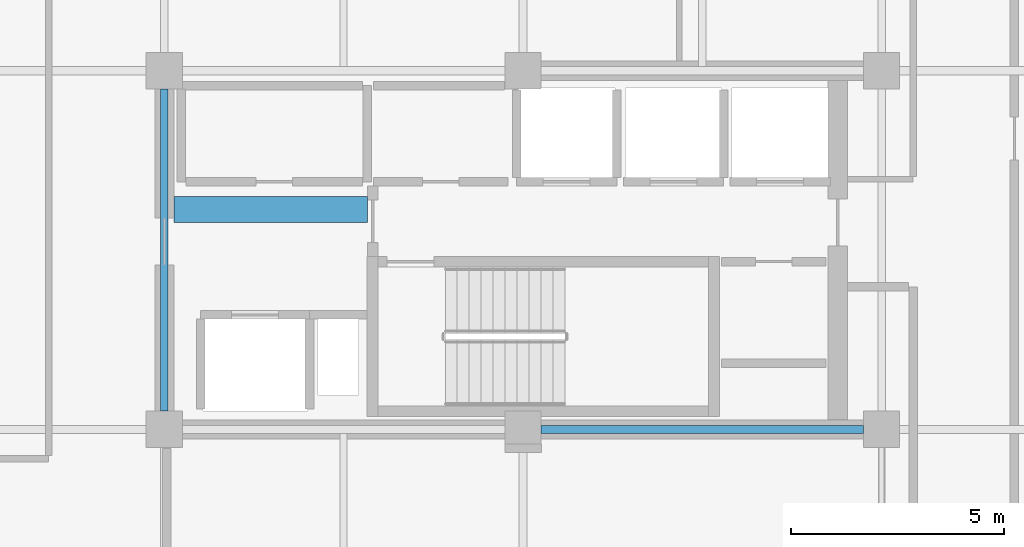
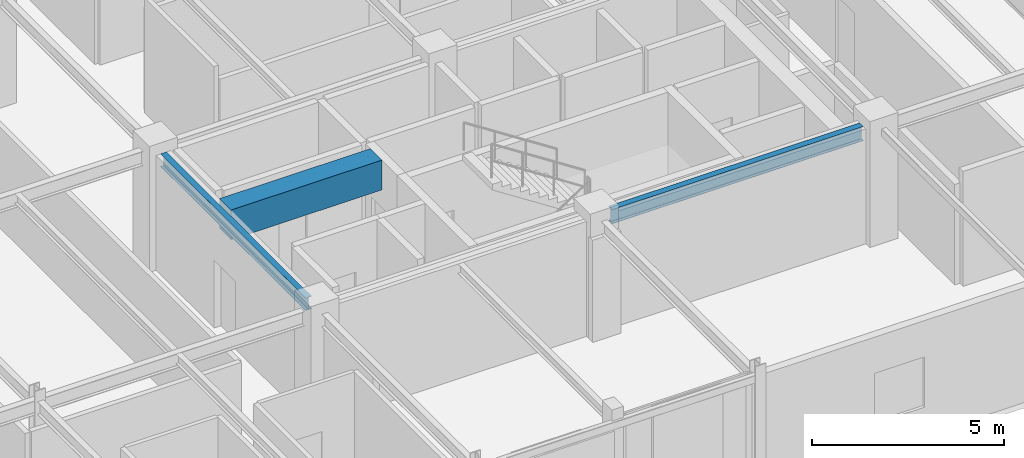
# One storey, part 8 of 26: 3 beams.
"""IFC4 building model written with IfcOpenShell, lengths in metres."""

from ifc_helpers import new_model, si_unit, direction, frame, origin, origin_2d, place, context, subcontext, project, spatial, rectangle, i_section, extrude, material, material_profile, profile_set, type_object, element, save


model = new_model("IFC4")

# Units and contexts
model_context = context("Model", 3, precision=1e-05, world=origin(), true_north=direction((0.0, 1.0)))
body_context = subcontext(model_context, "Body", "Model", "MODEL_VIEW")
ifc_project = project(units=[si_unit("LENGTHUNIT", "METRE"), si_unit("AREAUNIT", "SQUARE_METRE"), si_unit("VOLUMEUNIT", "CUBIC_METRE"), si_unit("PLANEANGLEUNIT", "RADIAN"), si_unit("MASSUNIT", "GRAM", prefix="KILO")], contexts=[model_context])

# Site, building, storey
site_placement = place(None, origin())
site = spatial("IfcSite", under=ifc_project, at=site_placement, CompositionType="ELEMENT")
building_placement = place(site_placement, origin())
building = spatial("IfcBuilding", under=site, at=building_placement, Name="Nerrivon Quay Data Exchange", CompositionType="ELEMENT")
storey_placement = place(building_placement, frame((0.0, 0.0, 282.199951171875)))
storey = spatial("IfcBuildingStorey", under=building, at=storey_placement, Name="L67", CompositionType="ELEMENT", Elevation=282.199951171875)

# Beams
ifc_material_1 = material(Name="Concrete N50 (50 MPa)", Category="concrete")
ifc_material_profile_1 = material_profile(ifc_material_1, rectangle(XDim=0.60009765625, YDim=0.949951171875, at=origin_2d()), Name="RC-CB-600x950")
ifc_profile_set_1 = profile_set([ifc_material_profile_1], Name="Concrete N50 (50 MPa)")
beam_type_1 = type_object("IfcBeamType", Name="BM-CB2-600x950", PredefinedType="LINTEL", material=ifc_profile_set_1)
beam_1_placement = place(storey_placement, frame((17.02490234375, 13.550048828125, 3.175048828125), z_axis=(1.0, 0.0, 0.0), x_axis=(0.0, 1.0, 0.0)))
element("IfcBeam", 1, at=beam_1_placement, inside=storey, type_object=beam_type_1, Name="L67 East Core Coupling Beam", PredefinedType="LINTEL", context=body_context, shape_type="SweptSolid", body=[
    extrude(rectangle(XDim=0.60009765625, YDim=0.949951171875, at=origin_2d()), origin(), (0.0, 0.0, 1.0), 4.530029296875),
])
ifc_material_2 = material(Name="Steel Grade 350", Category="steel")
ifc_material_profile_2 = material_profile(ifc_material_2, i_section(OverallWidth=0.18994140625, OverallDepth=0.4541015625, WebThickness=0.008544921875, FlangeThickness=0.0126953125, FilletRadius=0.011474609375, at=origin_2d()), Name="460UB67.1")
ifc_profile_set_2 = profile_set([ifc_material_profile_2], Name="Steel Grade 350")
beam_type_2 = type_object("IfcBeamType", Name="BM-G6-460UB67", PredefinedType="BEAM", material=ifc_profile_set_2)
beam_2_placement = place(storey_placement, frame((25.625, 8.39990234375, 3.423095703125), z_axis=(1.0, 0.0, 0.0), x_axis=(0.0, 1.0, 0.0)))
element("IfcBeam", 2, at=beam_2_placement, inside=storey, type_object=beam_type_2, Name="L67 EW Girder Y=8.4 (25.2..33.6)", PredefinedType="BEAM", context=body_context, shape_type="SweptSolid", body=[
    extrude(i_section(OverallWidth=0.18994140625, OverallDepth=0.4541015625, WebThickness=0.008544921875, FlangeThickness=0.0126953125, FilletRadius=0.011474609375, at=origin_2d()), origin(), (0.0, 0.0, 1.0), 7.550048828125),
])
ifc_material_profile_3 = material_profile(ifc_material_2, i_section(OverallWidth=0.177978515625, OverallDepth=0.406005859375, WebThickness=0.0078125, FlangeThickness=0.0126953125, FilletRadius=0.011474609375, at=origin_2d()), Name="410UB59.7")
ifc_profile_set_3 = profile_set([ifc_material_profile_3], Name="Steel Grade 350")
beam_type_3 = type_object("IfcBeamType", Name="BM-J1-410UB60", PredefinedType="JOIST", material=ifc_profile_set_3)
beam_3_placement = place(storey_placement, frame((16.800048828125, 8.824951171875, 3.447021484375), z_axis=(0.0, 1.0, 0.0), x_axis=(-1.0, 0.0, 0.0)))
element("IfcBeam", 3, at=beam_3_placement, inside=storey, type_object=beam_type_3, Name="L67 NS Girder X=16.8 (8.4..16.8)", PredefinedType="JOIST", context=body_context, shape_type="SweptSolid", body=[
    extrude(i_section(OverallWidth=0.177978515625, OverallDepth=0.406005859375, WebThickness=0.0078125, FlangeThickness=0.0126953125, FilletRadius=0.011474609375, at=origin_2d()), origin(), (0.0, 0.0, 1.0), 7.550048828125),
])

save(model, "model.ifc")
